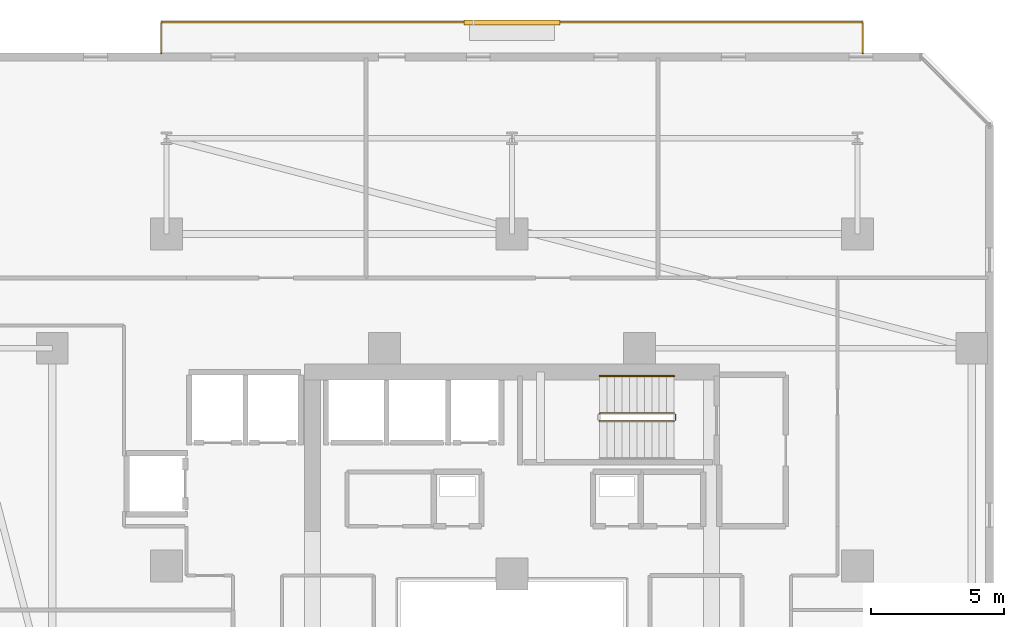
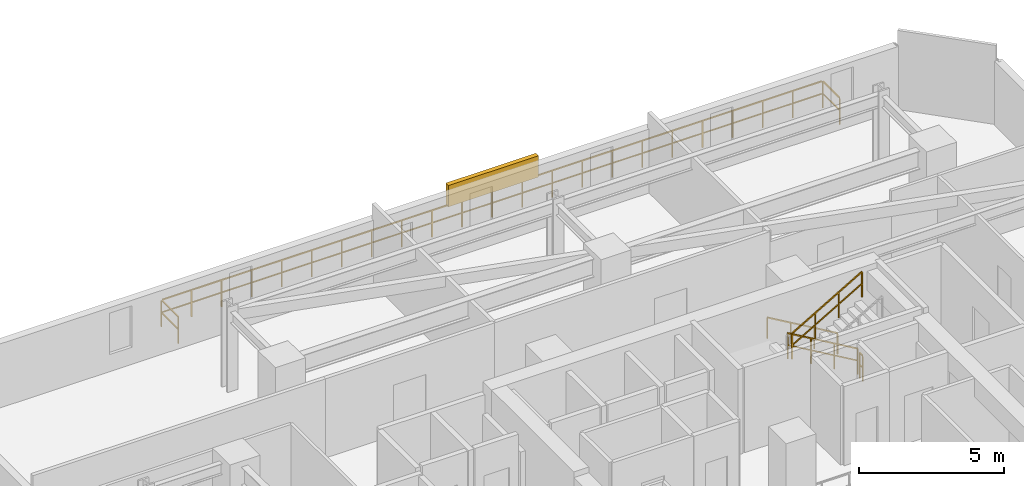
# One storey, part 31 of 33: 5 railings, 1 shading device.
"""IFC4 building model written with IfcOpenShell, lengths in metres."""

import ifcopenshell
import ifcopenshell.guid

model = None  # the IFC model being written
_history = None  # IfcOwnerHistory: only IFC2X3 demands one
_inside = {}  # id of a spatial element -> (the spatial element, [elements in it])
_under = {}  # id of a project, library or spatial element -> (it, [spatial elements below it])
_declared = {}  # id of a project -> (the project, [libraries it declares])
_typed = {}  # id of a type object -> (the type object, [elements of that type])
_made_of = {}  # id of a material, layer set ... -> (it, [elements and type objects made of it])


def new_model(schema):
    """Start an empty IFC model of exactly this schema.

    Asked for "IFC4X3", IfcOpenShell would pick the latest addendum, in which some entities
    have other attributes; the version numbers below select the first issue.
    IFC2X3 requires an IfcOwnerHistory on every rooted entity: one is made here for all.
    """
    global model, _history
    if schema == "IFC4X3":
        model = ifcopenshell.file(schema_version=(4, 3, 0, 0))
    else:
        model = ifcopenshell.file(schema=schema)
    _inside.clear()
    _under.clear()
    _declared.clear()
    _typed.clear()
    _made_of.clear()
    _history = None
    if model.schema == "IFC2X3":
        org = make("IfcOrganization", Name="unknown")
        user = make(
            "IfcPersonAndOrganization",
            ThePerson=make("IfcPerson", FamilyName="unknown"),
            TheOrganization=org,
        )
        app = make(
            "IfcApplication",
            ApplicationDeveloper=org,
            Version="unknown",
            ApplicationFullName="unknown",
            ApplicationIdentifier="unknown",
        )
        _history = make(
            "IfcOwnerHistory",
            OwningUser=user,
            OwningApplication=app,
            ChangeAction="ADDED",
            CreationDate=0,
        )
    return model


def make(cls, **values):
    """One entity of the class cls with the attributes given. An attribute that is None is left unset."""
    return model.create_entity(
        cls, **{name: value for name, value in values.items() if value is not None}
    )


def rooted(cls, **values):
    """An entity with a GlobalId (a new one), such as an element, a storey or a relation."""
    return make(cls, GlobalId=ifcopenshell.guid.new(), OwnerHistory=_history, **values)


def si_unit(unit_type, name, prefix=None):
    """IfcSIUnit, for example si_unit("LENGTHUNIT", "METRE", prefix="MILLI")."""
    return make("IfcSIUnit", UnitType=unit_type, Prefix=prefix, Name=name)


def assignment(units):
    """IfcUnitAssignment: the units of a project."""
    return None if units is None else make("IfcUnitAssignment", Units=units)


def point(xyz):
    """IfcCartesianPoint."""
    return None if xyz is None else make("IfcCartesianPoint", Coordinates=xyz)


def direction(xyz):
    """IfcDirection."""
    return None if xyz is None else make("IfcDirection", DirectionRatios=xyz)


def frame(location, z_axis=None, x_axis=None):
    """IfcAxis2Placement3D, a coordinate frame: its origin and axes. An axis left out is left unset."""
    return make(
        "IfcAxis2Placement3D",
        Location=point(location),
        Axis=direction(z_axis),
        RefDirection=direction(x_axis),
    )


def frame_2d(location, x_axis=None):
    """IfcAxis2Placement2D, a coordinate frame in the plane: its origin and x axis."""
    return make(
        "IfcAxis2Placement2D", Location=point(location), RefDirection=direction(x_axis)
    )


def origin():
    """The frame at (0, 0, 0) with its axes left unset."""
    return frame((0.0, 0.0, 0.0))


def origin_2d():
    """The frame at (0, 0) in the plane with its x axis left unset."""
    return frame_2d((0.0, 0.0))


def place(relative_to, where):
    """IfcLocalPlacement: puts the frame where relative to a parent placement (None: the world)."""
    return make(
        "IfcLocalPlacement", PlacementRelTo=relative_to, RelativePlacement=where
    )


def context(
    kind, dimensions, precision=None, world=None, true_north=None, identifier=None
):
    """IfcGeometricRepresentationContext, for example the 3D "Model" context."""
    return make(
        "IfcGeometricRepresentationContext",
        ContextIdentifier=identifier,
        ContextType=kind,
        CoordinateSpaceDimension=dimensions,
        Precision=precision,
        WorldCoordinateSystem=world,
        TrueNorth=true_north,
    )


def subcontext(parent, identifier, kind, view, scale=None):
    """IfcGeometricRepresentationSubContext, for example "Body" below "Model"."""
    return make(
        "IfcGeometricRepresentationSubContext",
        ContextIdentifier=identifier,
        ContextType=kind,
        ParentContext=parent,
        TargetScale=scale,
        TargetView=view,
    )


def project(units=None, contexts=None):
    """IfcProject with its units and contexts."""
    return rooted(
        "IfcProject",
        Name="project",
        RepresentationContexts=contexts,
        UnitsInContext=assignment(units),
    )


def spatial(cls, under=None, at=None, **own):
    """A site, building, storey or space (cls), placed at a placement, below another one or the project."""
    s = rooted(cls, ObjectPlacement=at, **own)
    if under is not None:
        _under.setdefault(under.id(), (under, []))[1].append(s)
    return s


def profile(cls, at=None, kind="AREA", **sizes):
    """A parametric profile (cls). Its sizes go by their IFC names, for example OverallWidth=200.0."""
    return make(cls, ProfileType=kind, Position=at, **sizes)


def rectangle(**sizes):
    """IfcRectangleProfileDef."""
    return profile("IfcRectangleProfileDef", **sizes)


def extrude(swept, where, along, depth):
    """IfcExtrudedAreaSolid: the profile swept, set in the frame where, extruded along a direction by depth."""
    return make(
        "IfcExtrudedAreaSolid",
        SweptArea=swept,
        Position=where,
        ExtrudedDirection=direction(along),
        Depth=depth,
    )


def shape(context_of_items, identifier, shape_type, items):
    """IfcShapeRepresentation: the items that make up one representation, for example the "Body"."""
    return make(
        "IfcShapeRepresentation",
        ContextOfItems=context_of_items,
        RepresentationIdentifier=identifier,
        RepresentationType=shape_type,
        Items=items,
    )


def material(Name=None, Category=None):
    """IfcMaterial."""
    return make("IfcMaterial", Name=Name, Category=Category)


def made_of(thing, what):
    """Note that an element or type object is made of a material, layer set ...; save() writes the relation."""
    if what is not None:
        _made_of.setdefault(what.id(), (what, []))[1].append(thing)
    return thing


def type_object(cls, material=None, **own):
    """A type object (cls), such as IfcWallType, which elements share."""
    return made_of(rooted(cls, **own), material)


def element(
    cls,
    number,
    at=None,
    inside=None,
    cuts=None,
    type_object=None,
    material=None,
    context=None,
    identifier="Body",
    shape_type=None,
    held_by="IfcProductDefinitionShape",
    body=None,
    shapes=None,
    **own,
):
    """One element of the class cls, such as IfcWall. Its Tag is "e" and its number.

    at: its placement. inside: the storey or other place that contains it. cuts: it is an
    opening in that element (IfcRelVoidsElement). A single representation is given by context,
    identifier, shape_type and body (its items); several are given by shapes. held_by: the class
    of the entity that holds the representations. save() writes the other relations.
    """
    e = rooted(cls, Tag="e%d" % number, ObjectPlacement=at, **own)
    if body is not None:
        shapes = [shape(context, identifier, shape_type, body)]
    if shapes is not None:
        e.Representation = make(held_by, Representations=shapes)
    if inside is not None:
        _inside.setdefault(inside.id(), (inside, []))[1].append(e)
    if cuts is not None:
        rooted(
            "IfcRelVoidsElement", RelatingBuildingElement=cuts, RelatedOpeningElement=e
        )
    if type_object is not None:
        _typed.setdefault(type_object.id(), (type_object, []))[1].append(e)
    return made_of(e, material)


def aggregate(whole, parts):
    """IfcRelAggregates: a whole, such as a stair, and the parts it consists of."""
    return rooted("IfcRelAggregates", RelatingObject=whole, RelatedObjects=parts)


def save(model, path):
    """Write the relations noted so far, then the file.

    IfcRelAggregates (storeys below a building ...), IfcRelContainedInSpatialStructure (elements
    in a storey), IfcRelDefinesByType, IfcRelAssociatesMaterial and IfcRelDeclares: one each for
    every whole, place, type object, material and project.
    """
    for whole, parts in _under.values():
        aggregate(whole, parts)
    for where, things in _inside.values():
        rooted(
            "IfcRelContainedInSpatialStructure",
            RelatedElements=things,
            RelatingStructure=where,
        )
    for kind, things in _typed.values():
        rooted("IfcRelDefinesByType", RelatedObjects=things, RelatingType=kind)
    for what, things in _made_of.values():
        rooted("IfcRelAssociatesMaterial", RelatedObjects=things, RelatingMaterial=what)
    for by, libraries in _declared.values():
        rooted("IfcRelDeclares", RelatingContext=by, RelatedDefinitions=libraries)
    model.write(path)


model = new_model("IFC4")

# Units and contexts
model_context = context("Model", 3, precision=1e-05, world=origin(), true_north=direction((0.0, 1.0)))
body_context = subcontext(model_context, "Body", "Model", "MODEL_VIEW")
ifc_project = project(units=[si_unit("LENGTHUNIT", "METRE"), si_unit("AREAUNIT", "SQUARE_METRE"), si_unit("VOLUMEUNIT", "CUBIC_METRE"), si_unit("PLANEANGLEUNIT", "RADIAN"), si_unit("MASSUNIT", "GRAM", prefix="KILO")], contexts=[model_context])

# Site, building, storey
site_placement = place(None, origin())
site = spatial("IfcSite", under=ifc_project, at=site_placement, CompositionType="ELEMENT")
building_placement = place(site_placement, origin())
building = spatial("IfcBuilding", under=site, at=building_placement, Name="Thornwick Lancets Civic Towers", CompositionType="ELEMENT")
storey_placement = place(building_placement, frame((0.0, 0.0, 108.89990234375)))
storey = spatial("IfcBuildingStorey", under=building, at=storey_placement, Name="L28", CompositionType="ELEMENT", Elevation=108.89990234375)

# Railings
ifc_material_1 = material(Name="Brushed stainless steel S355", Category="steel")
railing_type_1 = type_object("IfcRailingType", Name="RAIL_HANDRAIL", PredefinedType="HANDRAIL", material=ifc_material_1)
railing_1_placement = place(storey_placement, frame((31.60009765625, 38.949951171875, 0.163818359375)))
element("IfcRailing", 1, at=railing_1_placement, inside=storey, type_object=railing_type_1, Name="L28 ST-A2 stair handrail 1", PredefinedType="HANDRAIL", context=body_context, shape_type="SweptSolid", body=[
    extrude(rectangle(XDim=0.048095703125, YDim=0.048095703125, at=origin_2d()), frame((0.0, 0.0, 0.8857421875), z_axis=(-0.863393664356, 0.0, 0.504530851732), x_axis=(0.0, -1.0, 0.0)), (0.0, 0.0, 1.0), 3.2431640625),
    extrude(rectangle(XDim=0.0419921875, YDim=0.0419921875, at=origin_2d()), origin(), (0.0, 0.0, 1.0), 0.855712890625),
    extrude(rectangle(XDim=0.0419921875, YDim=0.0419921875, at=origin_2d()), frame((-0.933349609375, 0.0, 0.54541015625)), (0.0, 0.0, 1.0), 0.855712890625),
    extrude(rectangle(XDim=0.0419921875, YDim=0.0419921875, at=origin_2d()), frame((-1.86669921875, 0.0, 1.0908203125)), (0.0, 0.0, 1.0), 0.855712890625),
    extrude(rectangle(XDim=0.0419921875, YDim=0.0419921875, at=origin_2d()), frame((-2.800048828125, 0.0, 1.63623046875)), (0.0, 0.0, 1.0), 0.855712890625),
])
ifc_material_2 = material(Name="Steel S355JR", Category="steel")
railing_type_2 = type_object("IfcRailingType", Name="RAIL_STAIR_GUARD", PredefinedType="GUARDRAIL", material=ifc_material_2)
railing_2_placement = place(storey_placement, frame((31.60009765625, 37.550048828125, 0.163818359375)))
element("IfcRailing", 2, at=railing_2_placement, inside=storey, type_object=railing_type_2, Name="L28 ST-A2 stair guard 1", PredefinedType="GUARDRAIL", context=body_context, shape_type="SweptSolid", body=[
    extrude(rectangle(XDim=0.048095703125, YDim=0.048095703125, at=origin_2d()), frame((0.0, 0.0, 1.076171875), z_axis=(-0.863393664356, 0.0, 0.504530851732), x_axis=(0.0, -1.0, 0.0)), (0.0, 0.0, 1.0), 3.2431640625),
    extrude(rectangle(XDim=0.0419921875, YDim=0.0419921875, at=origin_2d()), frame((-0.032470703125, 0.0, 0.591064453125), z_axis=(-0.863393664356, 0.0, 0.504530851732), x_axis=(0.0, -1.0, 0.0)), (0.0, 0.0, 1.0), 1.006103515625),
    extrude(rectangle(XDim=0.0419921875, YDim=0.0419921875, at=origin_2d()), frame((-0.9658203125, 0.0, 1.136474609375), z_axis=(-0.863393664356, 0.0, 0.504530851732), x_axis=(0.0, -1.0, 0.0)), (0.0, 0.0, 1.0), 1.006103515625),
    extrude(rectangle(XDim=0.0419921875, YDim=0.0419921875, at=origin_2d()), frame((-1.899169921875, 0.0, 1.681884765625), z_axis=(-0.863393664356, 0.0, 0.504530851732), x_axis=(0.0, -1.0, 0.0)), (0.0, 0.0, 1.0), 1.006103515625),
    extrude(rectangle(XDim=0.0419921875, YDim=0.0419921875, at=origin_2d()), origin(), (0.0, 0.0, 1.0), 1.0458984375),
    extrude(rectangle(XDim=0.0419921875, YDim=0.0419921875, at=origin_2d()), frame((-0.933349609375, 0.0, 0.54541015625)), (0.0, 0.0, 1.0), 1.0458984375),
    extrude(rectangle(XDim=0.0419921875, YDim=0.0419921875, at=origin_2d()), frame((-1.86669921875, 0.0, 1.0908203125)), (0.0, 0.0, 1.0), 1.0458984375),
    extrude(rectangle(XDim=0.0419921875, YDim=0.0419921875, at=origin_2d()), frame((-2.800048828125, 0.0, 1.63623046875)), (0.0, 0.0, 1.0), 1.0458984375),
])
railing_3_placement = place(storey_placement, frame((28.800048828125, 37.25, 1.963623046875)))
element("IfcRailing", 3, at=railing_3_placement, inside=storey, type_object=railing_type_2, Name="L28 ST-A2 stair guard 3", PredefinedType="GUARDRAIL", context=body_context, shape_type="SweptSolid", body=[
    extrude(rectangle(XDim=0.048095703125, YDim=0.048095703125, at=origin_2d()), frame((0.0, 0.0, 1.076171875), z_axis=(0.863360870873, 0.0, 0.504586966384), x_axis=(0.0, 1.0, 0.0)), (0.0, 0.0, 1.0), 3.2431640625),
    extrude(rectangle(XDim=0.0419921875, YDim=0.0419921875, at=origin_2d()), frame((0.032470703125, 0.0, 0.591064453125), z_axis=(0.863360870873, 0.0, 0.504586966384), x_axis=(0.0, 1.0, 0.0)), (0.0, 0.0, 1.0), 1.006103515625),
    extrude(rectangle(XDim=0.0419921875, YDim=0.0419921875, at=origin_2d()), frame((0.9658203125, 0.0, 1.136474609375), z_axis=(0.863360870873, 0.0, 0.504586966384), x_axis=(0.0, 1.0, 0.0)), (0.0, 0.0, 1.0), 1.006103515625),
    extrude(rectangle(XDim=0.0419921875, YDim=0.0419921875, at=origin_2d()), frame((1.899169921875, 0.0, 1.681884765625), z_axis=(0.863360870873, 0.0, 0.504586966384), x_axis=(0.0, 1.0, 0.0)), (0.0, 0.0, 1.0), 1.006103515625),
    extrude(rectangle(XDim=0.0419921875, YDim=0.0419921875, at=origin_2d()), origin(), (0.0, 0.0, 1.0), 1.0458984375),
    extrude(rectangle(XDim=0.0419921875, YDim=0.0419921875, at=origin_2d()), frame((0.933349609375, 0.0, 0.54541015625)), (0.0, 0.0, 1.0), 1.0458984375),
    extrude(rectangle(XDim=0.0419921875, YDim=0.0419921875, at=origin_2d()), frame((1.86669921875, 0.0, 1.091064453125)), (0.0, 0.0, 1.0), 1.0458984375),
    extrude(rectangle(XDim=0.0419921875, YDim=0.0419921875, at=origin_2d()), frame((2.800048828125, 0.0, 1.636474609375)), (0.0, 0.0, 1.0), 1.0458984375),
])
railing_4_placement = place(storey_placement, frame((31.64990234375, 37.5, 0.0)))
element("IfcRailing", 4, at=railing_4_placement, inside=storey, type_object=railing_type_2, Name="L28 ST-A2 stair guard 4", PredefinedType="GUARDRAIL", context=body_context, shape_type="SweptSolid", body=[
    extrude(rectangle(XDim=0.048095703125, YDim=0.048095703125, at=origin_2d()), frame((0.0, 0.0, 1.076171875), z_axis=(0.0, -1.0, 0.0), x_axis=(1.0, 0.0, 0.0)), (0.0, 0.0, 1.0), 0.199951171875),
    extrude(rectangle(XDim=0.0419921875, YDim=0.0419921875, at=origin_2d()), frame((0.0, -0.03759765625, 0.572021484375), z_axis=(0.0, -1.0, 0.0), x_axis=(1.0, 0.0, 0.0)), (0.0, 0.0, 1.0), 0.125),
    extrude(rectangle(XDim=0.0419921875, YDim=0.0419921875, at=origin_2d()), origin(), (0.0, 0.0, 1.0), 1.0458984375),
    extrude(rectangle(XDim=0.0419921875, YDim=0.0419921875, at=origin_2d()), frame((0.0, -0.199951171875, 0.0)), (0.0, 0.0, 1.0), 1.0458984375),
])
ifc_material_3 = material(Name="Terracotta-capped laminated glass balustrade S355", Category="masonry")
railing_type_3 = type_object("IfcRailingType", Name="RAIL_TERR_GUARD", PredefinedType="GUARDRAIL", material=ifc_material_3)
railing_5_placement = place(storey_placement, frame((12.300048828125, 51.10009765625, 0.0)))
element("IfcRailing", 5, at=railing_5_placement, inside=storey, type_object=railing_type_3, Name="L28 Tower A Balcony Guard N", PredefinedType="GUARDRAIL", context=body_context, shape_type="SweptSolid", body=[
    extrude(rectangle(XDim=0.048095703125, YDim=0.048095703125, at=origin_2d()), frame((0.0, 0.0, 1.1259765625), z_axis=(0.0, 1.0, 0.0), x_axis=(-1.0, 0.0, 0.0)), (0.0, 0.0, 1.0), 1.138671875),
    extrude(rectangle(XDim=0.0419921875, YDim=0.0419921875, at=origin_2d()), frame((0.0, 0.03759765625, 0.597900390625), z_axis=(0.0, 1.0, 0.0), x_axis=(-1.0, 0.0, 0.0)), (0.0, 0.0, 1.0), 1.094970703125),
    extrude(rectangle(XDim=0.048095703125, YDim=0.048095703125, at=origin_2d()), frame((0.03125, 1.169921875, 1.1259765625), z_axis=(1.0, 0.0, 0.0), x_axis=(0.0, 1.0, 0.0)), (0.0, 0.0, 1.0), 26.33740234375),
    extrude(rectangle(XDim=0.0419921875, YDim=0.0419921875, at=origin_2d()), frame((0.03759765625, 1.169921875, 0.597900390625), z_axis=(1.0, 0.0, 0.0), x_axis=(0.0, 1.0, 0.0)), (0.0, 0.0, 1.0), 1.125),
    extrude(rectangle(XDim=0.0419921875, YDim=0.0419921875, at=origin_2d()), frame((1.237548828125, 1.169921875, 0.597900390625), z_axis=(1.0, 0.0, 0.0), x_axis=(0.0, 1.0, 0.0)), (0.0, 0.0, 1.0), 1.125),
    extrude(rectangle(XDim=0.0419921875, YDim=0.0419921875, at=origin_2d()), frame((2.4375, 1.169921875, 0.597900390625), z_axis=(1.0, 0.0, 0.0), x_axis=(0.0, 1.0, 0.0)), (0.0, 0.0, 1.0), 1.125),
    extrude(rectangle(XDim=0.0419921875, YDim=0.0419921875, at=origin_2d()), frame((3.637451171875, 1.169921875, 0.597900390625), z_axis=(1.0, 0.0, 0.0), x_axis=(0.0, 1.0, 0.0)), (0.0, 0.0, 1.0), 1.125),
    extrude(rectangle(XDim=0.0419921875, YDim=0.0419921875, at=origin_2d()), frame((4.83740234375, 1.169921875, 0.597900390625), z_axis=(1.0, 0.0, 0.0), x_axis=(0.0, 1.0, 0.0)), (0.0, 0.0, 1.0), 1.125),
    extrude(rectangle(XDim=0.0419921875, YDim=0.0419921875, at=origin_2d()), frame((6.037353515625, 1.169921875, 0.597900390625), z_axis=(1.0, 0.0, 0.0), x_axis=(0.0, 1.0, 0.0)), (0.0, 0.0, 1.0), 1.125),
    extrude(rectangle(XDim=0.0419921875, YDim=0.0419921875, at=origin_2d()), frame((7.237548828125, 1.169921875, 0.597900390625), z_axis=(1.0, 0.0, 0.0), x_axis=(0.0, 1.0, 0.0)), (0.0, 0.0, 1.0), 1.125),
    extrude(rectangle(XDim=0.0419921875, YDim=0.0419921875, at=origin_2d()), frame((8.4375, 1.169921875, 0.597900390625), z_axis=(1.0, 0.0, 0.0), x_axis=(0.0, 1.0, 0.0)), (0.0, 0.0, 1.0), 1.125),
    extrude(rectangle(XDim=0.0419921875, YDim=0.0419921875, at=origin_2d()), frame((9.637451171875, 1.169921875, 0.597900390625), z_axis=(1.0, 0.0, 0.0), x_axis=(0.0, 1.0, 0.0)), (0.0, 0.0, 1.0), 1.125),
    extrude(rectangle(XDim=0.0419921875, YDim=0.0419921875, at=origin_2d()), frame((10.83740234375, 1.169921875, 0.597900390625), z_axis=(1.0, 0.0, 0.0), x_axis=(0.0, 1.0, 0.0)), (0.0, 0.0, 1.0), 1.125),
    extrude(rectangle(XDim=0.0419921875, YDim=0.0419921875, at=origin_2d()), frame((12.037353515625, 1.169921875, 0.597900390625), z_axis=(1.0, 0.0, 0.0), x_axis=(0.0, 1.0, 0.0)), (0.0, 0.0, 1.0), 1.125),
    extrude(rectangle(XDim=0.0419921875, YDim=0.0419921875, at=origin_2d()), frame((13.237548828125, 1.169921875, 0.597900390625), z_axis=(1.0, 0.0, 0.0), x_axis=(0.0, 1.0, 0.0)), (0.0, 0.0, 1.0), 1.125),
    extrude(rectangle(XDim=0.0419921875, YDim=0.0419921875, at=origin_2d()), frame((14.4375, 1.169921875, 0.597900390625), z_axis=(1.0, 0.0, 0.0), x_axis=(0.0, 1.0, 0.0)), (0.0, 0.0, 1.0), 1.125),
    extrude(rectangle(XDim=0.0419921875, YDim=0.0419921875, at=origin_2d()), frame((15.637451171875, 1.169921875, 0.597900390625), z_axis=(1.0, 0.0, 0.0), x_axis=(0.0, 1.0, 0.0)), (0.0, 0.0, 1.0), 1.125),
    extrude(rectangle(XDim=0.0419921875, YDim=0.0419921875, at=origin_2d()), frame((16.83740234375, 1.169921875, 0.597900390625), z_axis=(1.0, 0.0, 0.0), x_axis=(0.0, 1.0, 0.0)), (0.0, 0.0, 1.0), 1.125),
    extrude(rectangle(XDim=0.0419921875, YDim=0.0419921875, at=origin_2d()), frame((18.037353515625, 1.169921875, 0.597900390625), z_axis=(1.0, 0.0, 0.0), x_axis=(0.0, 1.0, 0.0)), (0.0, 0.0, 1.0), 1.125),
    extrude(rectangle(XDim=0.0419921875, YDim=0.0419921875, at=origin_2d()), frame((19.2373046875, 1.169921875, 0.597900390625), z_axis=(1.0, 0.0, 0.0), x_axis=(0.0, 1.0, 0.0)), (0.0, 0.0, 1.0), 1.125),
    extrude(rectangle(XDim=0.0419921875, YDim=0.0419921875, at=origin_2d()), frame((20.4375, 1.169921875, 0.597900390625), z_axis=(1.0, 0.0, 0.0), x_axis=(0.0, 1.0, 0.0)), (0.0, 0.0, 1.0), 1.125),
    extrude(rectangle(XDim=0.0419921875, YDim=0.0419921875, at=origin_2d()), frame((21.637451171875, 1.169921875, 0.597900390625), z_axis=(1.0, 0.0, 0.0), x_axis=(0.0, 1.0, 0.0)), (0.0, 0.0, 1.0), 1.125),
    extrude(rectangle(XDim=0.0419921875, YDim=0.0419921875, at=origin_2d()), frame((22.83740234375, 1.169921875, 0.597900390625), z_axis=(1.0, 0.0, 0.0), x_axis=(0.0, 1.0, 0.0)), (0.0, 0.0, 1.0), 1.125),
    extrude(rectangle(XDim=0.0419921875, YDim=0.0419921875, at=origin_2d()), frame((24.037353515625, 1.169921875, 0.597900390625), z_axis=(1.0, 0.0, 0.0), x_axis=(0.0, 1.0, 0.0)), (0.0, 0.0, 1.0), 1.125),
    extrude(rectangle(XDim=0.0419921875, YDim=0.0419921875, at=origin_2d()), frame((25.2373046875, 1.169921875, 0.597900390625), z_axis=(1.0, 0.0, 0.0), x_axis=(0.0, 1.0, 0.0)), (0.0, 0.0, 1.0), 1.125),
    extrude(rectangle(XDim=0.048095703125, YDim=0.048095703125, at=origin_2d()), frame((26.39990234375, 1.138671875, 1.1259765625), z_axis=(0.0, -1.0, 0.0), x_axis=(1.0, 0.0, 0.0)), (0.0, 0.0, 1.0), 1.138671875),
    extrude(rectangle(XDim=0.0419921875, YDim=0.0419921875, at=origin_2d()), frame((26.39990234375, 1.13232421875, 0.597900390625), z_axis=(0.0, -1.0, 0.0), x_axis=(1.0, 0.0, 0.0)), (0.0, 0.0, 1.0), 1.094970703125),
    extrude(rectangle(XDim=0.0419921875, YDim=0.0419921875, at=origin_2d()), origin(), (0.0, 0.0, 1.0), 1.095703125),
    extrude(rectangle(XDim=0.0419921875, YDim=0.0419921875, at=origin_2d()), frame((0.0, 1.169921875, 0.0)), (0.0, 0.0, 1.0), 1.095703125),
    extrude(rectangle(XDim=0.0419921875, YDim=0.0419921875, at=origin_2d()), frame((1.199951171875, 1.169921875, 0.0)), (0.0, 0.0, 1.0), 1.095703125),
    extrude(rectangle(XDim=0.0419921875, YDim=0.0419921875, at=origin_2d()), frame((2.39990234375, 1.169921875, 0.0)), (0.0, 0.0, 1.0), 1.095703125),
    extrude(rectangle(XDim=0.0419921875, YDim=0.0419921875, at=origin_2d()), frame((3.60009765625, 1.169921875, 0.0)), (0.0, 0.0, 1.0), 1.095703125),
    extrude(rectangle(XDim=0.0419921875, YDim=0.0419921875, at=origin_2d()), frame((4.800048828125, 1.169921875, 0.0)), (0.0, 0.0, 1.0), 1.095703125),
    extrude(rectangle(XDim=0.0419921875, YDim=0.0419921875, at=origin_2d()), frame((6.0, 1.169921875, 0.0)), (0.0, 0.0, 1.0), 1.095703125),
    extrude(rectangle(XDim=0.0419921875, YDim=0.0419921875, at=origin_2d()), frame((7.199951171875, 1.169921875, 0.0)), (0.0, 0.0, 1.0), 1.095703125),
    extrude(rectangle(XDim=0.0419921875, YDim=0.0419921875, at=origin_2d()), frame((8.39990234375, 1.169921875, 0.0)), (0.0, 0.0, 1.0), 1.095703125),
    extrude(rectangle(XDim=0.0419921875, YDim=0.0419921875, at=origin_2d()), frame((9.599853515625, 1.169921875, 0.0)), (0.0, 0.0, 1.0), 1.095703125),
    extrude(rectangle(XDim=0.0419921875, YDim=0.0419921875, at=origin_2d()), frame((10.800048828125, 1.169921875, 0.0)), (0.0, 0.0, 1.0), 1.095703125),
    extrude(rectangle(XDim=0.0419921875, YDim=0.0419921875, at=origin_2d()), frame((12.0, 1.169921875, 0.0)), (0.0, 0.0, 1.0), 1.095703125),
    extrude(rectangle(XDim=0.0419921875, YDim=0.0419921875, at=origin_2d()), frame((13.199951171875, 1.169921875, 0.0)), (0.0, 0.0, 1.0), 1.095703125),
    extrude(rectangle(XDim=0.0419921875, YDim=0.0419921875, at=origin_2d()), frame((14.39990234375, 1.169921875, 0.0)), (0.0, 0.0, 1.0), 1.095703125),
    extrude(rectangle(XDim=0.0419921875, YDim=0.0419921875, at=origin_2d()), frame((15.599853515625, 1.169921875, 0.0)), (0.0, 0.0, 1.0), 1.095703125),
    extrude(rectangle(XDim=0.0419921875, YDim=0.0419921875, at=origin_2d()), frame((16.800048828125, 1.169921875, 0.0)), (0.0, 0.0, 1.0), 1.095703125),
    extrude(rectangle(XDim=0.0419921875, YDim=0.0419921875, at=origin_2d()), frame((18.0, 1.169921875, 0.0)), (0.0, 0.0, 1.0), 1.095703125),
    extrude(rectangle(XDim=0.0419921875, YDim=0.0419921875, at=origin_2d()), frame((19.199951171875, 1.169921875, 0.0)), (0.0, 0.0, 1.0), 1.095703125),
    extrude(rectangle(XDim=0.0419921875, YDim=0.0419921875, at=origin_2d()), frame((20.39990234375, 1.169921875, 0.0)), (0.0, 0.0, 1.0), 1.095703125),
    extrude(rectangle(XDim=0.0419921875, YDim=0.0419921875, at=origin_2d()), frame((21.599853515625, 1.169921875, 0.0)), (0.0, 0.0, 1.0), 1.095703125),
    extrude(rectangle(XDim=0.0419921875, YDim=0.0419921875, at=origin_2d()), frame((22.7998046875, 1.169921875, 0.0)), (0.0, 0.0, 1.0), 1.095703125),
    extrude(rectangle(XDim=0.0419921875, YDim=0.0419921875, at=origin_2d()), frame((24.0, 1.169921875, 0.0)), (0.0, 0.0, 1.0), 1.095703125),
    extrude(rectangle(XDim=0.0419921875, YDim=0.0419921875, at=origin_2d()), frame((25.199951171875, 1.169921875, 0.0)), (0.0, 0.0, 1.0), 1.095703125),
    extrude(rectangle(XDim=0.0419921875, YDim=0.0419921875, at=origin_2d()), frame((26.39990234375, 1.169921875, 0.0)), (0.0, 0.0, 1.0), 1.095703125),
    extrude(rectangle(XDim=0.0419921875, YDim=0.0419921875, at=origin_2d()), frame((26.39990234375, 0.0, 0.0)), (0.0, 0.0, 1.0), 1.095703125),
])

# Shading device
ifc_material_4 = material(Name="Extruded terracotta baguette solar screen", Category="masonry")
shading_device_type = type_object("IfcShadingDeviceType", Name="SHADE_BAGUETTE", PredefinedType="JALOUSIE", material=ifc_material_4)
shading_device_placement = place(storey_placement, frame((25.5, 52.260009765625, 1.1201171875), z_axis=(0.0, 0.0, 1.0), x_axis=(1.0, 0.0, 0.0)))
element("IfcShadingDevice", 6, at=shading_device_placement, inside=storey, type_object=shading_device_type, Name="L28 Tower A Terracotta Baguette Screen N", PredefinedType="JALOUSIE", context=body_context, shape_type="SweptSolid", body=[
    extrude(rectangle(XDim=3.60009765625, YDim=0.179931640625, at=origin_2d()), origin(), (0.0, 0.0, 1.0), 0.89990234375),
])

save(model, "model.ifc")
